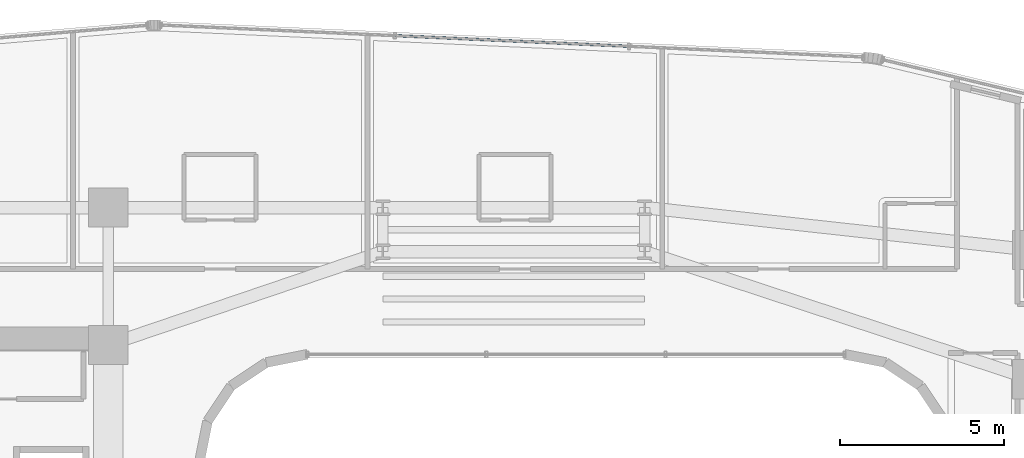
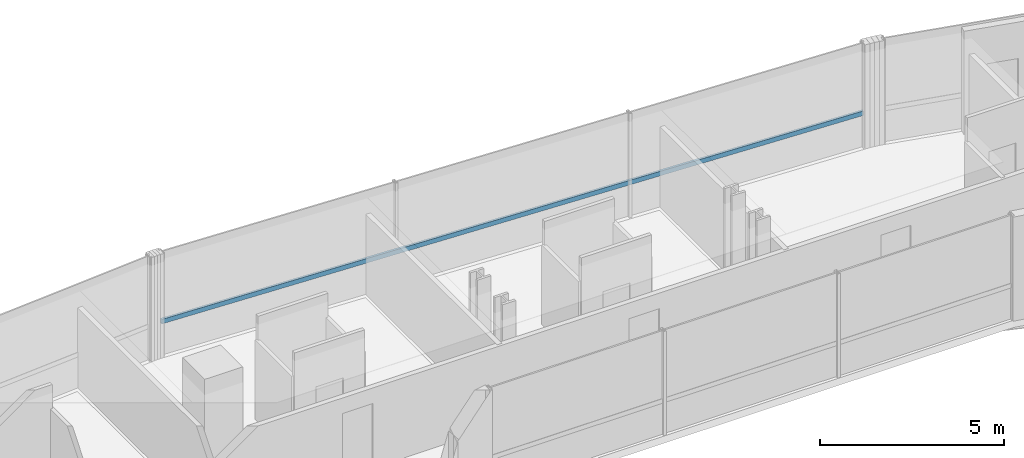
# One storey, part 21 of 35: 1 member, 1 element without a shape of its own.
"""IFC4 building model written with IfcOpenShell, lengths in metres."""

from ifc_helpers import new_model, si_unit, direction, frame, origin, origin_2d, place, context, subcontext, project, spatial, hollow_rectangle, extrude, source, transform, mapped, material, material_profile, profile_set, type_object, element, aggregate, save


model = new_model("IFC4")

# Units and contexts
model_context = context("Model", 3, precision=1e-05, world=origin(), true_north=direction((0.0, 1.0)))
body_context = subcontext(model_context, "Body", "Model", "MODEL_VIEW")
ifc_project = project(units=[si_unit("LENGTHUNIT", "METRE"), si_unit("AREAUNIT", "SQUARE_METRE"), si_unit("VOLUMEUNIT", "CUBIC_METRE"), si_unit("PLANEANGLEUNIT", "RADIAN"), si_unit("MASSUNIT", "GRAM", prefix="KILO")], contexts=[model_context])

# Site, building, storey
site_placement = place(None, origin())
site = spatial("IfcSite", under=ifc_project, at=site_placement, CompositionType="ELEMENT")
building_placement = place(site_placement, origin())
building = spatial("IfcBuilding", under=site, at=building_placement, Name="Valdorenza Pilgrim Sanctuary Tower", CompositionType="ELEMENT")
storey_placement = place(building_placement, frame((0.0, 0.0, 113.10009765625)))
storey = spatial("IfcBuildingStorey", under=building, at=storey_placement, Name="L28", CompositionType="ELEMENT", Elevation=113.10009765625)

# Curtain wall, member
ifc_material_1 = material(Name="Curtain-wall IGU glazing", Category="glass")
curtain_wall_type = type_object("IfcCurtainWallType", Name="CW-SYS-02", PredefinedType="NOTDEFINED", material=ifc_material_1)
curtain_wall_placement = place(storey_placement, origin())
curtain_wall = element("IfcCurtainWall", 1, at=curtain_wall_placement, inside=storey, type_object=curtain_wall_type, Name="L28 Curtain Wall CW-L28-1-11", PredefinedType="NOTDEFINED")
ifc_material_2 = material(Name="Anodised aluminium AW-6060", Category="aluminium")
ifc_material_profile = material_profile(ifc_material_2, hollow_rectangle(XDim=0.074951171875, YDim=0.14990234375, WallThickness=0.00390625, at=origin_2d()), Name="ALU-T 150x75x4")
ifc_profile_set = profile_set([ifc_material_profile], Name="Anodised aluminium AW-6060")
member_type = type_object("IfcMemberType", Name="CW-TRN-02", PredefinedType="USERDEFINED", material=ifc_profile_set)
shared_shape = source(origin(), body_context, "Body", "SweptSolid", [
    extrude(hollow_rectangle(XDim=0.074951171875, YDim=0.14990234375, WallThickness=0.00390625, at=origin_2d()), origin(), (0.0, 0.0, 1.0), 21.5078125),
])
member_placement = place(storey_placement, frame((-10.795654296875, 20.380615234375, 1.119873046875), z_axis=(0.99896865723, -0.045405086403, 0.0), x_axis=(0.045405086403, 0.99896865723, 0.0)))
member = element("IfcMember", 2, at=member_placement, type_object=member_type, Name="CW-L28-1-11 Transom 1", ObjectType="TRANSOM", PredefinedType="USERDEFINED", context=body_context, shape_type="MappedRepresentation", body=[
    mapped(shared_shape, transform((0.0, 0.0, 0.0), x_axis=(1.0, 0.0, 0.0), y_axis=(0.0, 1.0, 0.0), z_axis=(0.0, 0.0, 1.0), scale=1.0)),
])
aggregate(curtain_wall, [member])

save(model, "model.ifc")
